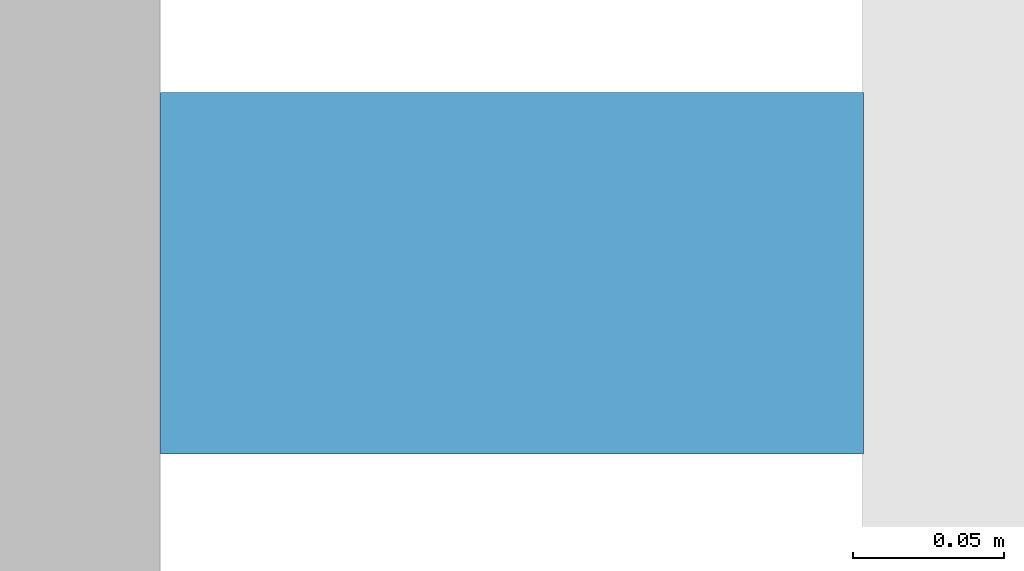
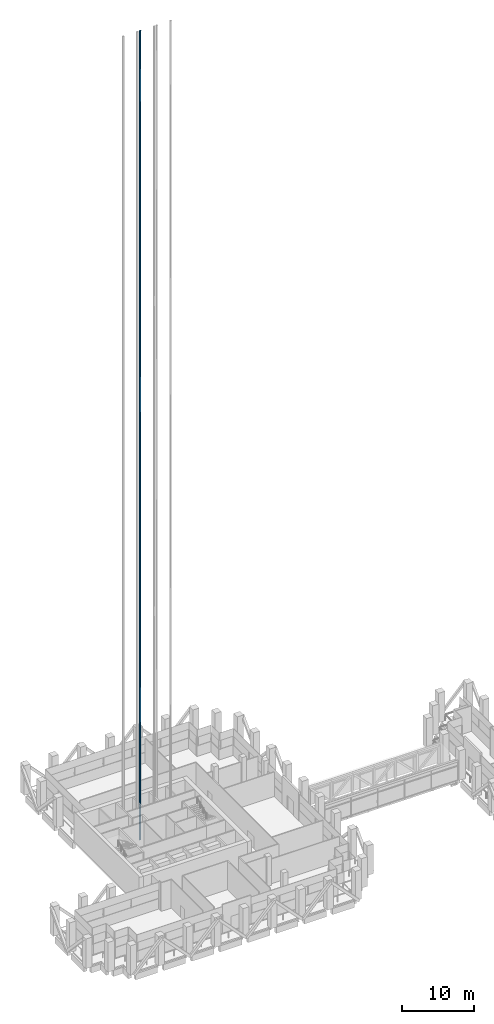
# One storey, part 40 of 48: 1 discrete accessory.
"""IFC4 building model written with IfcOpenShell, lengths in metres."""

from ifc_helpers import new_model, si_unit, direction, frame, origin, origin_2d, place, context, subcontext, project, spatial, rectangle, extrude, element, save


model = new_model("IFC4")

# Units and contexts
model_context = context("Model", 3, precision=1e-05, world=origin(), true_north=direction((0.0, 1.0)))
body_context = subcontext(model_context, "Body", "Model", "MODEL_VIEW")
ifc_project = project(units=[si_unit("LENGTHUNIT", "METRE"), si_unit("AREAUNIT", "SQUARE_METRE"), si_unit("VOLUMEUNIT", "CUBIC_METRE"), si_unit("PLANEANGLEUNIT", "RADIAN"), si_unit("MASSUNIT", "GRAM", prefix="KILO")], contexts=[model_context])

# Site, building, storey
site_placement = place(None, origin())
site = spatial("IfcSite", under=ifc_project, at=site_placement, CompositionType="ELEMENT")
building_placement = place(site_placement, origin())
building = spatial("IfcBuilding", under=site, at=building_placement, Name="Altepetl Exchange Towers", CompositionType="ELEMENT")
storey_placement = place(building_placement, frame((0.0, 0.0, 138.800048828125)))
storey = spatial("IfcBuildingStorey", under=building, at=storey_placement, Name="L34 Refuge and sky lobby", CompositionType="ELEMENT", Elevation=138.800048828125)

# Discrete accessory
discrete_accessory_placement = place(storey_placement, frame((49.716796875, 56.199951171875, -1.60009765625)))
element("IfcDiscreteAccessory", 1, at=discrete_accessory_placement, inside=storey, Name="Guide rail P6", ObjectType="GUIDE RAIL", PredefinedType="USERDEFINED", context=body_context, shape_type="SweptSolid", body=[
    extrude(rectangle(XDim=0.2333984375, YDim=0.1201171875, at=origin_2d()), origin(), (0.0, 0.0, 1.0), 136.85009765625),
])

save(model, "model.ifc")
